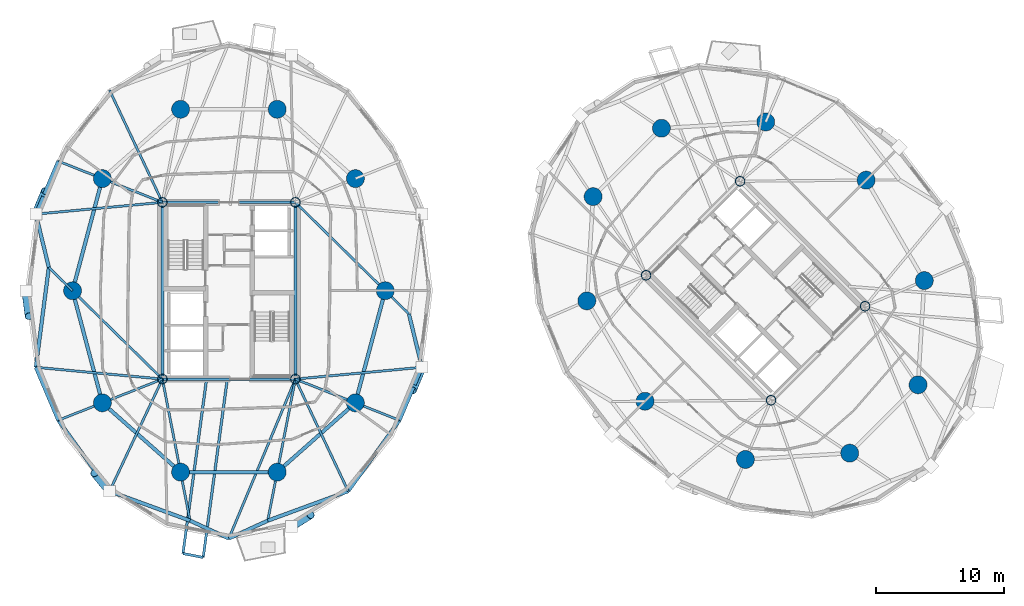
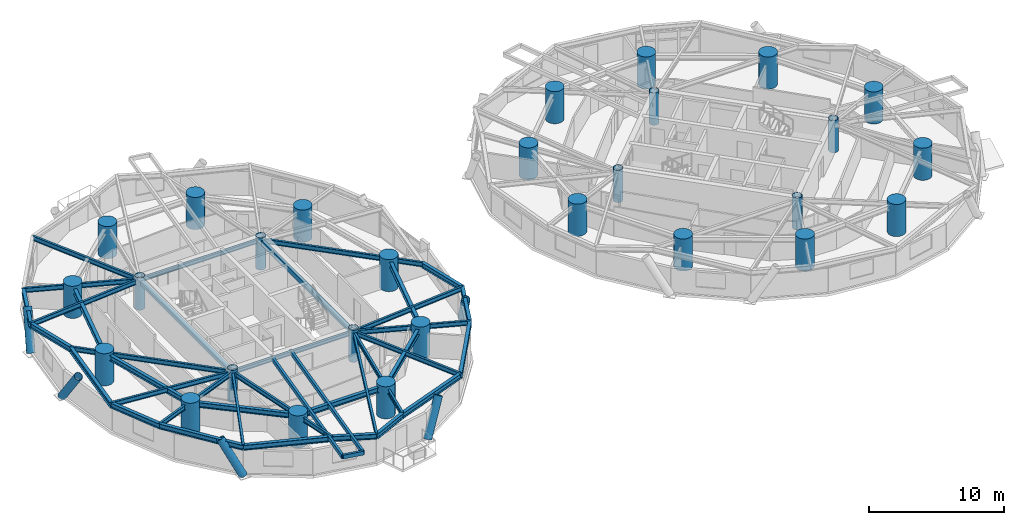
# One storey, part 1 of 18: 40 beams, 28 columns, 5 members.
"""IFC4 building model written with IfcOpenShell, lengths in metres."""

from ifc_helpers import new_model, si_unit, direction, frame, origin, origin_2d, place, context, subcontext, project, spatial, hollow_rectangle, circle, hollow_circle, i_section, extrude, material, material_profile, profile_set, type_object, element, save


model = new_model("IFC4")

# Units and contexts
model_context = context("Model", 3, precision=1e-05, world=origin(), true_north=direction((0.0, 1.0)))
body_context = subcontext(model_context, "Body", "Model", "MODEL_VIEW")
ifc_project = project(units=[si_unit("LENGTHUNIT", "METRE"), si_unit("AREAUNIT", "SQUARE_METRE"), si_unit("VOLUMEUNIT", "CUBIC_METRE"), si_unit("PLANEANGLEUNIT", "RADIAN"), si_unit("MASSUNIT", "GRAM", prefix="KILO")], contexts=[model_context])

# Site, building, storey
site_placement = place(None, origin())
site = spatial("IfcSite", under=ifc_project, at=site_placement, CompositionType="ELEMENT")
building_placement = place(site_placement, origin())
building = spatial("IfcBuilding", under=site, at=building_placement, Name="Cununo Teusaquillo Station Towers", CompositionType="ELEMENT")
storey_placement = place(building_placement, frame((0.0, 0.0, 93.429931640625)))
storey = spatial("IfcBuildingStorey", under=building, at=storey_placement, Name="L29", CompositionType="ELEMENT", Elevation=93.429931640625)

# Columns
ifc_material_1 = material(Name="Steel EN 10025-2 S355J2", Category="steel")
ifc_material_profile_1 = material_profile(ifc_material_1, hollow_circle(Radius=0.3798828125, WallThickness=0.031982421875, at=origin_2d()), Name="CHS 760x32")
ifc_profile_set_1 = profile_set([ifc_material_profile_1], Name="Steel EN 10025-2 S355J2")
column_type_1 = type_object("IfcColumnType", Name="COL-CORE-Z2", PredefinedType="COLUMN", material=ifc_profile_set_1)
for number, where, z_axis, x_axis, name in (
    (1, (11.324951171875, 17.6201171875, 0.0), (0.0, 0.0, 1.0), (1.0, 0.0, 0.0), "L29 Tower A Core Column 1"),
    (2, (11.324951171875, 31.3798828125, 0.0), (0.0, 0.0, 1.0), (1.0, 0.0, 0.0), "L29 Tower A Core Column 2"),
    (3, (21.675048828125, 17.6201171875, 0.0), (0.0, 0.0, 1.0), (1.0, 0.0, 0.0), "L29 Tower A Core Column 3"),
    (4, (21.675048828125, 31.3798828125, 0.0), (0.0, 0.0, 1.0), (1.0, 0.0, 0.0), "L29 Tower A Core Column 4"),
    (5, (58.70556640625, 15.975830078125, 0.0), (0.0, 0.0, 1.0), (0.707106781187, 0.707106781187, 0.0), "L29 Tower B Core Column 1"),
    (6, (48.975830078125, 25.70556640625, 0.0), (0.0, 0.0, 1.0), (0.707106781187, 0.707106781187, 0.0), "L29 Tower B Core Column 2"),
    (7, (66.024169921875, 23.29443359375, 0.0), (0.0, 0.0, 1.0), (0.707106781187, 0.707106781187, 0.0), "L29 Tower B Core Column 3"),
    (8, (56.29443359375, 33.024169921875, 0.0), (0.0, 0.0, 1.0), (0.707106781187, 0.707106781187, 0.0), "L29 Tower B Core Column 4"),
):
    element("IfcColumn", number, at=place(storey_placement, frame(where, z_axis=z_axis, x_axis=x_axis)), inside=storey, type_object=column_type_1, Name=name, PredefinedType="COLUMN", context=body_context, shape_type="SweptSolid", body=[
        extrude(hollow_circle(Radius=0.3798828125, WallThickness=0.031982421875, at=origin_2d()), origin(), (0.0, 0.0, 1.0), 2.91015625),
    ])
ifc_material_2 = material(Name="Concrete C60/75", Category="concrete")
ifc_material_profile_2 = material_profile(ifc_material_2, circle(Radius=0.699951171875, at=origin_2d()), Name="RC-CIRC-1400")
ifc_profile_set_2 = profile_set([ifc_material_profile_2], Name="Concrete C60/75")
column_type_2 = type_object("IfcColumnType", Name="COL-MEGA-Z2", PredefinedType="USERDEFINED", material=ifc_profile_set_2)
for number, where, z_axis, x_axis, name in (
    (9, (28.672119140625, 24.5, 0.0), (0.0, 0.0, 1.0), (1.0, 0.0, 0.0), "L29 Tower A Perimeter Column V00"),
    (10, (26.347412109375, 33.228515625, 0.0), (0.0, 0.0, 1.0), (1.0, 0.0, 0.0), "L29 Tower A Perimeter Column V02"),
    (11, (20.261474609375, 38.623291015625, 0.0), (0.0, 0.0, 1.0), (1.0, 0.0, 0.0), "L29 Tower A Perimeter Column V04"),
    (12, (12.738525390625, 38.623291015625, 0.0), (0.0, 0.0, 1.0), (1.0, 0.0, 0.0), "L29 Tower A Perimeter Column V06"),
    (13, (6.652587890625, 33.228515625, 0.0), (0.0, 0.0, 1.0), (1.0, 0.0, 0.0), "L29 Tower A Perimeter Column V08"),
    (14, (4.327880859375, 24.5, 0.0), (0.0, 0.0, 1.0), (1.0, 0.0, 0.0), "L29 Tower A Perimeter Column V10"),
    (15, (6.652587890625, 15.771484375, 0.0), (0.0, 0.0, 1.0), (1.0, 0.0, 0.0), "L29 Tower A Perimeter Column V12"),
    (16, (12.738525390625, 10.376708984375, 0.0), (0.0, 0.0, 1.0), (1.0, 0.0, 0.0), "L29 Tower A Perimeter Column V14"),
    (17, (20.261474609375, 10.376708984375, 0.0), (0.0, 0.0, 1.0), (1.0, 0.0, 0.0), "L29 Tower A Perimeter Column V16"),
    (18, (26.347412109375, 15.771484375, 0.0), (0.0, 0.0, 1.0), (1.0, 0.0, 0.0), "L29 Tower A Perimeter Column V18"),
    (19, (66.10693359375, 33.10693359375, 0.0), (0.0, 0.0, 1.0), (1.0, 0.0, 0.0), "L29 Tower B Perimeter Column V00"),
    (20, (58.291015625, 37.63525390625, 0.0), (0.0, 0.0, 1.0), (1.0, 0.0, 0.0), "L29 Tower B Perimeter Column V02"),
    (21, (50.173095703125, 37.146240234375, 0.0), (0.0, 0.0, 1.0), (1.0, 0.0, 0.0), "L29 Tower B Perimeter Column V04"),
    (22, (44.853759765625, 31.826904296875, 0.0), (0.0, 0.0, 1.0), (1.0, 0.0, 0.0), "L29 Tower B Perimeter Column V06"),
    (23, (44.36474609375, 23.708984375, 0.0), (0.0, 0.0, 1.0), (1.0, 0.0, 0.0), "L29 Tower B Perimeter Column V08"),
    (24, (48.89306640625, 15.89306640625, 0.0), (0.0, 0.0, 1.0), (1.0, 0.0, 0.0), "L29 Tower B Perimeter Column V10"),
    (25, (56.708984375, 11.36474609375, 0.0), (0.0, 0.0, 1.0), (1.0, 0.0, 0.0), "L29 Tower B Perimeter Column V12"),
    (26, (64.826904296875, 11.853759765625, 0.0), (0.0, 0.0, 1.0), (1.0, 0.0, 0.0), "L29 Tower B Perimeter Column V14"),
    (27, (70.146240234375, 17.173095703125, 0.0), (0.0, 0.0, 1.0), (1.0, 0.0, 0.0), "L29 Tower B Perimeter Column V16"),
    (28, (70.63525390625, 25.291015625, 0.0), (0.0, 0.0, 1.0), (1.0, 0.0, 0.0), "L29 Tower B Perimeter Column V18"),
):
    element("IfcColumn", number, at=place(storey_placement, frame(where, z_axis=z_axis, x_axis=x_axis)), inside=storey, type_object=column_type_2, Name=name, ObjectType="MEGA COLUMN", PredefinedType="USERDEFINED", context=body_context, shape_type="SweptSolid", body=[
        extrude(circle(Radius=0.699951171875, at=origin_2d()), origin(), (0.0, 0.0, 1.0), 2.91015625),
    ])

# Beams
ifc_material_3 = material(Name="Steel EN 10025-2 S355J2", Category="steel")
ifc_material_profile_3 = material_profile(ifc_material_3, hollow_rectangle(XDim=0.199951171875, YDim=0.35009765625, WallThickness=0.013916015625, at=origin_2d()), Name="RHS 350x200x14")
ifc_profile_set_3 = profile_set([ifc_material_profile_3], Name="Steel EN 10025-2 S355J2")
beam_type_1 = type_object("IfcBeamType", Name="BM-BAL-CANT", PredefinedType="BEAM", material=ifc_profile_set_3)
beam_1_placement = place(storey_placement, frame((14.793701171875, 17.85009765625, 2.4951171875), z_axis=(-0.133960678738, -0.990986648019, 0.0), x_axis=(0.990986648019, -0.133960678738, 0.0)))
element("IfcBeam", 29, at=beam_1_placement, inside=storey, type_object=beam_type_1, Name="L29 Tower A Balcony Cantilever Bracket 2A", PredefinedType="BEAM", context=body_context, shape_type="SweptSolid", body=[
    extrude(hollow_rectangle(XDim=0.199951171875, YDim=0.35009765625, WallThickness=0.013916015625, at=origin_2d()), origin(), (0.0, 0.0, 1.0), 13.9345703125),
])
beam_2_placement = place(storey_placement, frame((16.40869140625, 17.85009765625, 2.4951171875), z_axis=(-0.133936551357, -0.990989909237, 0.0), x_axis=(0.990989909237, -0.133936551357, 0.0)))
element("IfcBeam", 30, at=beam_2_placement, inside=storey, type_object=beam_type_1, Name="L29 Tower A Balcony Cantilever Bracket 2B", PredefinedType="BEAM", context=body_context, shape_type="SweptSolid", body=[
    extrude(hollow_rectangle(XDim=0.199951171875, YDim=0.35009765625, WallThickness=0.013916015625, at=origin_2d()), origin(), (0.0, 0.0, 1.0), 14.24169921875),
])
ifc_material_4 = material(Name="Steel EN 10025-2 S355J2", Category="steel")
ifc_material_profile_4 = material_profile(ifc_material_4, hollow_rectangle(XDim=0.25, YDim=0.449951171875, WallThickness=0.01611328125, at=origin_2d()), Name="RHS 450x250x16")
ifc_profile_set_4 = profile_set([ifc_material_profile_4], Name="Steel EN 10025-2 S355J2")
beam_type_2 = type_object("IfcBeamType", Name="BM-COUP-1", PredefinedType="USERDEFINED", material=ifc_profile_set_4)
for number, where, z_axis, x_axis, name in (
    (31, (11.324951171875, 17.6201171875, 2.445068359375), (0.0, 1.0, 0.0), (-1.0, 0.0, 0.0), "L29 Tower A Core Beam 1"),
    (32, (21.675048828125, 17.6201171875, 2.445068359375), (0.0, 1.0, 0.0), (-1.0, 0.0, 0.0), "L29 Tower A Core Beam 2"),
):
    element("IfcBeam", number, at=place(storey_placement, frame(where, z_axis=z_axis, x_axis=x_axis)), inside=storey, type_object=beam_type_2, Name=name, ObjectType="COUPLING BEAM", PredefinedType="USERDEFINED", context=body_context, shape_type="SweptSolid", body=[
        extrude(hollow_rectangle(XDim=0.25, YDim=0.449951171875, WallThickness=0.01611328125, at=origin_2d()), origin(), (0.0, 0.0, 1.0), 13.759765625),
    ])
ifc_material_5 = material(Name="Steel ASTM A572 Grade 50", Category="steel")
ifc_material_profile_5 = material_profile(ifc_material_5, i_section(OverallWidth=0.180908203125, OverallDepth=0.4169921875, WebThickness=0.010986328125, FlangeThickness=0.018310546875, FilletRadius=0.012939453125, at=origin_2d()), Name="W16X57")
ifc_profile_set_5 = profile_set([ifc_material_profile_5], Name="Steel ASTM A572 Grade 50")
beam_type_3 = type_object("IfcBeamType", Name="BM-JOIST-1", PredefinedType="JOIST", material=ifc_profile_set_5)
beam_3_placement = place(storey_placement, frame((11.324951171875, 31.3798828125, 2.461669921875), z_axis=(-0.426319838016, 0.904572493344, 0.0), x_axis=(-0.904572493344, -0.426319838016, 0.0)))
element("IfcBeam", 33, at=beam_3_placement, inside=storey, type_object=beam_type_3, Name="L29 Tower A Radial Spandrel Joist V07", PredefinedType="JOIST", context=body_context, shape_type="SweptSolid", body=[
    extrude(i_section(OverallWidth=0.180908203125, OverallDepth=0.4169921875, WebThickness=0.010986328125, FlangeThickness=0.018310546875, FilletRadius=0.012939453125, at=origin_2d()), origin(), (0.0, 0.0, 1.0), 9.646728515625),
])
for number, where, z_axis, x_axis, name in (
    (34, (11.324951171875, 31.3798828125, 2.461669921875), (-0.995678537907, -0.09286683558, 0.0), (0.09286683558, -0.995678537907, 0.0), "L29 Tower A Radial Spandrel Joist V09"),
    (35, (11.324951171875, 17.6201171875, 2.461669921875), (-0.995678537907, 0.09286683558, 0.0), (-0.09286683558, -0.995678537907, 0.0), "L29 Tower A Radial Spandrel Joist V11"),
):
    element("IfcBeam", number, at=place(storey_placement, frame(where, z_axis=z_axis, x_axis=x_axis)), inside=storey, type_object=beam_type_3, Name=name, PredefinedType="JOIST", context=body_context, shape_type="SweptSolid", body=[
        extrude(i_section(OverallWidth=0.180908203125, OverallDepth=0.4169921875, WebThickness=0.010986328125, FlangeThickness=0.018310546875, FilletRadius=0.012939453125, at=origin_2d()), origin(), (0.0, 0.0, 1.0), 9.895263671875),
    ])
beam_4_placement = place(storey_placement, frame((11.324951171875, 17.6201171875, 2.461669921875), z_axis=(-0.426319838016, -0.904572493344, 0.0), x_axis=(0.904572493344, -0.426319838016, 0.0)))
element("IfcBeam", 36, at=beam_4_placement, inside=storey, type_object=beam_type_3, Name="L29 Tower A Radial Spandrel Joist V13", PredefinedType="JOIST", context=body_context, shape_type="SweptSolid", body=[
    extrude(i_section(OverallWidth=0.180908203125, OverallDepth=0.4169921875, WebThickness=0.010986328125, FlangeThickness=0.018310546875, FilletRadius=0.012939453125, at=origin_2d()), origin(), (0.0, 0.0, 1.0), 9.646728515625),
])
beam_5_placement = place(storey_placement, frame((21.675048828125, 17.6201171875, 2.461669921875), z_axis=(-0.38487837995, -0.922967297713, 0.0), x_axis=(0.922967297713, -0.38487837995, 0.0)))
element("IfcBeam", 37, at=beam_5_placement, inside=storey, type_object=beam_type_3, Name="L29 Tower A Radial Spandrel Joist V15", PredefinedType="JOIST", context=body_context, shape_type="SweptSolid", body=[
    extrude(i_section(OverallWidth=0.180908203125, OverallDepth=0.4169921875, WebThickness=0.010986328125, FlangeThickness=0.018310546875, FilletRadius=0.012939453125, at=origin_2d()), origin(), (0.0, 0.0, 1.0), 13.446044921875),
])
beam_6_placement = place(storey_placement, frame((21.675048828125, 17.6201171875, 2.461669921875), z_axis=(0.426319838016, -0.904572493344, 0.0), x_axis=(0.904572493344, 0.426319838016, 0.0)))
element("IfcBeam", 38, at=beam_6_placement, inside=storey, type_object=beam_type_3, Name="L29 Tower A Radial Spandrel Joist V17", PredefinedType="JOIST", context=body_context, shape_type="SweptSolid", body=[
    extrude(i_section(OverallWidth=0.180908203125, OverallDepth=0.4169921875, WebThickness=0.010986328125, FlangeThickness=0.018310546875, FilletRadius=0.012939453125, at=origin_2d()), origin(), (0.0, 0.0, 1.0), 9.646728515625),
])
beam_7_placement = place(storey_placement, frame((21.675048828125, 17.6201171875, 2.461669921875), z_axis=(0.995678537907, 0.09286683558, 0.0), x_axis=(-0.09286683558, 0.995678537907, 0.0)))
element("IfcBeam", 39, at=beam_7_placement, inside=storey, type_object=beam_type_3, Name="L29 Tower A Radial Spandrel Joist V19", PredefinedType="JOIST", context=body_context, shape_type="SweptSolid", body=[
    extrude(i_section(OverallWidth=0.180908203125, OverallDepth=0.4169921875, WebThickness=0.010986328125, FlangeThickness=0.018310546875, FilletRadius=0.012939453125, at=origin_2d()), origin(), (0.0, 0.0, 1.0), 9.895263671875),
])
ifc_material_6 = material(Name="Steel ASTM A572 Grade 50", Category="steel")
ifc_material_profile_6 = material_profile(ifc_material_6, i_section(OverallWidth=0.2041015625, OverallDepth=0.35009765625, WebThickness=0.008544921875, FlangeThickness=0.01513671875, FilletRadius=0.011962890625, at=origin_2d()), Name="W14X48")
ifc_profile_set_6 = profile_set([ifc_material_profile_6], Name="Steel ASTM A572 Grade 50")
beam_type_4 = type_object("IfcBeamType", Name="BM-LINTEL-1", PredefinedType="LINTEL", material=ifc_profile_set_6)
for number, where, z_axis, x_axis, name in (
    (40, (11.324951171875, 17.6201171875, 2.4951171875), (1.0, 0.0, 0.0), (0.0, 1.0, 0.0), "L29 Tower A Core Beam 3"),
    (41, (11.324951171875, 31.3798828125, 2.4951171875), (1.0, 0.0, 0.0), (0.0, 1.0, 0.0), "L29 Tower A Core Beam 4"),
):
    element("IfcBeam", number, at=place(storey_placement, frame(where, z_axis=z_axis, x_axis=x_axis)), inside=storey, type_object=beam_type_4, Name=name, PredefinedType="LINTEL", context=body_context, shape_type="SweptSolid", body=[
        extrude(i_section(OverallWidth=0.2041015625, OverallDepth=0.35009765625, WebThickness=0.008544921875, FlangeThickness=0.01513671875, FilletRadius=0.011962890625, at=origin_2d()), origin(), (0.0, 0.0, 1.0), 10.35009765625),
    ])
ifc_material_7 = material(Name="Steel ASTM A572 Grade 50", Category="steel")
ifc_material_profile_7 = material_profile(ifc_material_7, i_section(OverallWidth=0.180908203125, OverallDepth=0.4169921875, WebThickness=0.010986328125, FlangeThickness=0.018310546875, FilletRadius=0.012939453125, at=origin_2d()), Name="W16X57")
ifc_profile_set_7 = profile_set([ifc_material_profile_7], Name="Steel ASTM A572 Grade 50")
beam_type_5 = type_object("IfcBeamType", Name="BM-RAD-G2", PredefinedType="BEAM", material=ifc_profile_set_7)
beam_8_placement = place(storey_placement, frame((21.675048828125, 31.3798828125, 2.461669921875), z_axis=(0.713047137857, -0.701116095375, 0.0), x_axis=(0.701116095375, 0.713047137857, 0.0)))
element("IfcBeam", 42, at=beam_8_placement, inside=storey, type_object=beam_type_5, Name="L29 Tower A Continuous Overhanging Radial Girder 01", PredefinedType="BEAM", context=body_context, shape_type="SweptSolid", body=[
    extrude(i_section(OverallWidth=0.180908203125, OverallDepth=0.4169921875, WebThickness=0.010986328125, FlangeThickness=0.018310546875, FilletRadius=0.012939453125, at=origin_2d()), origin(), (0.0, 0.0, 1.0), 12.400390625),
])
beam_9_placement = place(storey_placement, frame((11.324951171875, 31.3798828125, 2.461669921875), z_axis=(-0.929863123823, 0.367905654963, 0.0), x_axis=(-0.367905654963, -0.929863123823, 0.0)))
element("IfcBeam", 43, at=beam_9_placement, inside=storey, type_object=beam_type_5, Name="L29 Tower A Continuous Overhanging Radial Girder 05", PredefinedType="BEAM", context=body_context, shape_type="SweptSolid", body=[
    extrude(i_section(OverallWidth=0.180908203125, OverallDepth=0.4169921875, WebThickness=0.010986328125, FlangeThickness=0.018310546875, FilletRadius=0.012939453125, at=origin_2d()), origin(), (0.0, 0.0, 1.0), 8.715087890625),
])
beam_10_placement = place(storey_placement, frame((11.324951171875, 17.6201171875, 2.461669921875), z_axis=(-0.713052701438, 0.701110437073, 0.0), x_axis=(-0.701110437073, -0.713052701438, 0.0)))
element("IfcBeam", 44, at=beam_10_placement, inside=storey, type_object=beam_type_5, Name="L29 Tower A Radial Girder 06A", PredefinedType="BEAM", context=body_context, shape_type="SweptSolid", body=[
    extrude(i_section(OverallWidth=0.180908203125, OverallDepth=0.4169921875, WebThickness=0.010986328125, FlangeThickness=0.018310546875, FilletRadius=0.012939453125, at=origin_2d()), origin(), (0.0, 0.0, 1.0), 9.812744140625),
])
beam_11_placement = place(storey_placement, frame((4.327880859375, 24.5, 2.461669921875), z_axis=(-0.7130260383, 0.701137553342, 0.0), x_axis=(-0.701137553342, -0.7130260383, 0.0)))
element("IfcBeam", 45, at=beam_11_placement, inside=storey, type_object=beam_type_5, Name="L29 Tower A Perimeter Overhang Girder 06B", PredefinedType="BEAM", context=body_context, shape_type="SweptSolid", body=[
    extrude(i_section(OverallWidth=0.180908203125, OverallDepth=0.4169921875, WebThickness=0.010986328125, FlangeThickness=0.018310546875, FilletRadius=0.012939453125, at=origin_2d()), origin(), (0.0, 0.0, 1.0), 2.58740234375),
])
beam_12_placement = place(storey_placement, frame((11.324951171875, 17.6201171875, 2.461669921875), z_axis=(-0.929863123823, -0.367905654963, 0.0), x_axis=(0.367905654963, -0.929863123823, 0.0)))
element("IfcBeam", 46, at=beam_12_placement, inside=storey, type_object=beam_type_5, Name="L29 Tower A Continuous Overhanging Radial Girder 07", PredefinedType="BEAM", context=body_context, shape_type="SweptSolid", body=[
    extrude(i_section(OverallWidth=0.180908203125, OverallDepth=0.4169921875, WebThickness=0.010986328125, FlangeThickness=0.018310546875, FilletRadius=0.012939453125, at=origin_2d()), origin(), (0.0, 0.0, 1.0), 8.715087890625),
])
for number, where, z_axis, x_axis, name in (
    (47, (11.324951171875, 17.6201171875, 2.461669921875), (0.191552755713, -0.981482318628, 0.0), (0.981482318628, 0.191552755713, 0.0), "L29 Tower A Continuous Overhanging Radial Girder 08"),
    (48, (21.675048828125, 17.6201171875, 2.461669921875), (-0.191552755713, -0.981482318628, 0.0), (0.981482318628, -0.191552755713, 0.0), "L29 Tower A Continuous Overhanging Radial Girder 09"),
):
    element("IfcBeam", number, at=place(storey_placement, frame(where, z_axis=z_axis, x_axis=x_axis)), inside=storey, type_object=beam_type_5, Name=name, PredefinedType="BEAM", context=body_context, shape_type="SweptSolid", body=[
        extrude(i_section(OverallWidth=0.180908203125, OverallDepth=0.4169921875, WebThickness=0.010986328125, FlangeThickness=0.018310546875, FilletRadius=0.012939453125, at=origin_2d()), origin(), (0.0, 0.0, 1.0), 11.22998046875),
    ])
beam_13_placement = place(storey_placement, frame((21.675048828125, 17.6201171875, 2.461669921875), z_axis=(0.929863123823, -0.367905654963, 0.0), x_axis=(0.367905654963, 0.929863123823, 0.0)))
element("IfcBeam", 49, at=beam_13_placement, inside=storey, type_object=beam_type_5, Name="L29 Tower A Continuous Overhanging Radial Girder 10", PredefinedType="BEAM", context=body_context, shape_type="SweptSolid", body=[
    extrude(i_section(OverallWidth=0.180908203125, OverallDepth=0.4169921875, WebThickness=0.010986328125, FlangeThickness=0.018310546875, FilletRadius=0.012939453125, at=origin_2d()), origin(), (0.0, 0.0, 1.0), 8.715087890625),
])
ifc_material_8 = material(Name="Steel ASTM A572 Grade 50", Category="steel")
ifc_material_profile_8 = material_profile(ifc_material_8, i_section(OverallWidth=0.280029296875, OverallDepth=0.462890625, WebThickness=0.0107421875, FlangeThickness=0.017333984375, FilletRadius=0.013916015625, at=origin_2d()), Name="W18X76")
ifc_profile_set_8 = profile_set([ifc_material_profile_8], Name="Steel ASTM A572 Grade 50")
beam_type_6 = type_object("IfcBeamType", Name="BM-RING-Z2", PredefinedType="SPANDREL", material=ifc_profile_set_8)
for number, where, z_axis, x_axis, name in (
    (50, (6.652587890625, 33.228515625, 2.4384765625), (-0.257363196347, -0.966314744359, 0.0), (0.966314744359, -0.257363196347, 0.0), "L29 Tower A Structural Column Ring Girder 05"),
    (51, (4.327880859375, 24.5, 2.4384765625), (0.257363196347, -0.966314744359, 0.0), (0.966314744359, 0.257363196347, 0.0), "L29 Tower A Structural Column Ring Girder 06"),
):
    element("IfcBeam", number, at=place(storey_placement, frame(where, z_axis=z_axis, x_axis=x_axis)), inside=storey, type_object=beam_type_6, Name=name, PredefinedType="SPANDREL", context=body_context, shape_type="SweptSolid", body=[
        extrude(i_section(OverallWidth=0.280029296875, OverallDepth=0.462890625, WebThickness=0.0107421875, FlangeThickness=0.017333984375, FilletRadius=0.013916015625, at=origin_2d()), origin(), (0.0, 0.0, 1.0), 9.03271484375),
    ])
beam_14_placement = place(storey_placement, frame((6.652587890625, 15.771484375, 2.4384765625), z_axis=(0.74832120039, -0.66333655187, 0.0), x_axis=(0.66333655187, 0.74832120039, 0.0)))
element("IfcBeam", 52, at=beam_14_placement, inside=storey, type_object=beam_type_6, Name="L29 Tower A Structural Column Ring Girder 07", PredefinedType="SPANDREL", context=body_context, shape_type="SweptSolid", body=[
    extrude(i_section(OverallWidth=0.280029296875, OverallDepth=0.462890625, WebThickness=0.0107421875, FlangeThickness=0.017333984375, FilletRadius=0.013916015625, at=origin_2d()), origin(), (0.0, 0.0, 1.0), 8.1328125),
])
beam_15_placement = place(storey_placement, frame((12.738525390625, 10.376708984375, 2.4384765625), z_axis=(1.0, 0.0, 0.0), x_axis=(0.0, 1.0, 0.0)))
element("IfcBeam", 53, at=beam_15_placement, inside=storey, type_object=beam_type_6, Name="L29 Tower A Structural Column Ring Girder 08", PredefinedType="SPANDREL", context=body_context, shape_type="SweptSolid", body=[
    extrude(i_section(OverallWidth=0.280029296875, OverallDepth=0.462890625, WebThickness=0.0107421875, FlangeThickness=0.017333984375, FilletRadius=0.013916015625, at=origin_2d()), origin(), (0.0, 0.0, 1.0), 7.52294921875),
])
beam_16_placement = place(storey_placement, frame((20.261474609375, 10.376708984375, 2.4384765625), z_axis=(0.74832120039, 0.66333655187, 0.0), x_axis=(-0.66333655187, 0.74832120039, 0.0)))
element("IfcBeam", 54, at=beam_16_placement, inside=storey, type_object=beam_type_6, Name="L29 Tower A Structural Column Ring Girder 09", PredefinedType="SPANDREL", context=body_context, shape_type="SweptSolid", body=[
    extrude(i_section(OverallWidth=0.280029296875, OverallDepth=0.462890625, WebThickness=0.0107421875, FlangeThickness=0.017333984375, FilletRadius=0.013916015625, at=origin_2d()), origin(), (0.0, 0.0, 1.0), 8.1328125),
])
beam_17_placement = place(storey_placement, frame((26.347412109375, 15.771484375, 2.4384765625), z_axis=(0.257363196347, 0.966314744359, 0.0), x_axis=(-0.966314744359, 0.257363196347, 0.0)))
element("IfcBeam", 55, at=beam_17_placement, inside=storey, type_object=beam_type_6, Name="L29 Tower A Structural Column Ring Girder 10", PredefinedType="SPANDREL", context=body_context, shape_type="SweptSolid", body=[
    extrude(i_section(OverallWidth=0.280029296875, OverallDepth=0.462890625, WebThickness=0.0107421875, FlangeThickness=0.017333984375, FilletRadius=0.013916015625, at=origin_2d()), origin(), (0.0, 0.0, 1.0), 9.03271484375),
])
beam_18_placement = place(storey_placement, frame((3.22119140625, 34.586181640625, 2.4384765625), z_axis=(-0.390299356049, -0.920688010494, 0.0), x_axis=(0.920688010494, -0.390299356049, 0.0)))
element("IfcBeam", 56, at=beam_18_placement, inside=storey, type_object=beam_type_6, Name="L29 Tower A Spandrel Ring Beam 09", PredefinedType="SPANDREL", context=body_context, shape_type="SweptSolid", body=[
    extrude(i_section(OverallWidth=0.280029296875, OverallDepth=0.462890625, WebThickness=0.0107421875, FlangeThickness=0.017333984375, FilletRadius=0.013916015625, at=origin_2d()), origin(), (0.0, 0.0, 1.0), 4.480712890625),
])
beam_19_placement = place(storey_placement, frame((1.472412109375, 30.4609375, 2.4384765625), z_axis=(0.236757334703, -0.971568816124, 0.0), x_axis=(0.971568816124, 0.236757334703, 0.0)))
element("IfcBeam", 57, at=beam_19_placement, inside=storey, type_object=beam_type_6, Name="L29 Tower A Spandrel Ring Beam 10", PredefinedType="SPANDREL", context=body_context, shape_type="SweptSolid", body=[
    extrude(i_section(OverallWidth=0.280029296875, OverallDepth=0.462890625, WebThickness=0.0107421875, FlangeThickness=0.017333984375, FilletRadius=0.013916015625, at=origin_2d()), origin(), (0.0, 0.0, 1.0), 4.26806640625),
])
beam_20_placement = place(storey_placement, frame((2.48291015625, 26.314208984375, 2.4384765625), z_axis=(-0.12888124113, -0.991660035337, 0.0), x_axis=(0.991660035337, -0.12888124113, 0.0)))
element("IfcBeam", 58, at=beam_20_placement, inside=storey, type_object=beam_type_6, Name="L29 Tower A Spandrel Ring Beam 11", PredefinedType="SPANDREL", context=body_context, shape_type="SweptSolid", body=[
    extrude(i_section(OverallWidth=0.280029296875, OverallDepth=0.462890625, WebThickness=0.0107421875, FlangeThickness=0.017333984375, FilletRadius=0.013916015625, at=origin_2d()), origin(), (0.0, 0.0, 1.0), 7.840576171875),
])
beam_21_placement = place(storey_placement, frame((1.472412109375, 18.5390625, 2.4384765625), z_axis=(0.390299356049, -0.920688010494, 0.0), x_axis=(0.920688010494, 0.390299356049, 0.0)))
element("IfcBeam", 59, at=beam_21_placement, inside=storey, type_object=beam_type_6, Name="L29 Tower A Spandrel Ring Beam 12", PredefinedType="SPANDREL", context=body_context, shape_type="SweptSolid", body=[
    extrude(i_section(OverallWidth=0.280029296875, OverallDepth=0.462890625, WebThickness=0.0107421875, FlangeThickness=0.017333984375, FilletRadius=0.013916015625, at=origin_2d()), origin(), (0.0, 0.0, 1.0), 4.480712890625),
])
beam_22_placement = place(storey_placement, frame((3.22119140625, 14.413818359375, 2.4384765625), z_axis=(0.58594455724, -0.810351143543, 0.0), x_axis=(0.810351143543, 0.58594455724, 0.0)))
element("IfcBeam", 60, at=beam_22_placement, inside=storey, type_object=beam_type_6, Name="L29 Tower A Spandrel Ring Beam 13", PredefinedType="SPANDREL", context=body_context, shape_type="SweptSolid", body=[
    extrude(i_section(OverallWidth=0.280029296875, OverallDepth=0.462890625, WebThickness=0.0107421875, FlangeThickness=0.017333984375, FilletRadius=0.013916015625, at=origin_2d()), origin(), (0.0, 0.0, 1.0), 6.8115234375),
])
beam_23_placement = place(storey_placement, frame((7.21240234375, 8.89404296875, 2.4384765625), z_axis=(0.938914161016, -0.34415141761, 0.0), x_axis=(0.34415141761, 0.938914161016, 0.0)))
element("IfcBeam", 61, at=beam_23_placement, inside=storey, type_object=beam_type_6, Name="L29 Tower A Spandrel Ring Beam 14", PredefinedType="SPANDREL", context=body_context, shape_type="SweptSolid", body=[
    extrude(i_section(OverallWidth=0.280029296875, OverallDepth=0.462890625, WebThickness=0.0107421875, FlangeThickness=0.017333984375, FilletRadius=0.013916015625, at=origin_2d()), origin(), (0.0, 0.0, 1.0), 6.671142578125),
])
for number, where, z_axis, x_axis, name in (
    (62, (13.47607421875, 6.59814453125, 2.4384765625), (0.908812215281, -0.417205413862, 0.0), (0.417205413862, 0.908812215281, 0.0), "L29 Tower A Spandrel Ring Beam 15"),
    (63, (16.5, 5.2099609375, 2.4384765625), (0.908812215281, 0.417205413862, 0.0), (-0.417205413862, 0.908812215281, 0.0), "L29 Tower A Spandrel Ring Beam 16"),
):
    element("IfcBeam", number, at=place(storey_placement, frame(where, z_axis=z_axis, x_axis=x_axis)), inside=storey, type_object=beam_type_6, Name=name, PredefinedType="SPANDREL", context=body_context, shape_type="SweptSolid", body=[
        extrude(i_section(OverallWidth=0.280029296875, OverallDepth=0.462890625, WebThickness=0.0107421875, FlangeThickness=0.017333984375, FilletRadius=0.013916015625, at=origin_2d()), origin(), (0.0, 0.0, 1.0), 3.327392578125),
    ])
beam_24_placement = place(storey_placement, frame((19.52392578125, 6.59814453125, 2.4384765625), z_axis=(0.938914161016, 0.34415141761, 0.0), x_axis=(-0.34415141761, 0.938914161016, 0.0)))
element("IfcBeam", 64, at=beam_24_placement, inside=storey, type_object=beam_type_6, Name="L29 Tower A Spandrel Ring Beam 17", PredefinedType="SPANDREL", context=body_context, shape_type="SweptSolid", body=[
    extrude(i_section(OverallWidth=0.280029296875, OverallDepth=0.462890625, WebThickness=0.0107421875, FlangeThickness=0.017333984375, FilletRadius=0.013916015625, at=origin_2d()), origin(), (0.0, 0.0, 1.0), 6.671142578125),
])
beam_25_placement = place(storey_placement, frame((25.78759765625, 8.89404296875, 2.4384765625), z_axis=(0.58594455724, 0.810351143543, 0.0), x_axis=(-0.810351143543, 0.58594455724, 0.0)))
element("IfcBeam", 65, at=beam_25_placement, inside=storey, type_object=beam_type_6, Name="L29 Tower A Spandrel Ring Beam 18", PredefinedType="SPANDREL", context=body_context, shape_type="SweptSolid", body=[
    extrude(i_section(OverallWidth=0.280029296875, OverallDepth=0.462890625, WebThickness=0.0107421875, FlangeThickness=0.017333984375, FilletRadius=0.013916015625, at=origin_2d()), origin(), (0.0, 0.0, 1.0), 6.8115234375),
])
beam_26_placement = place(storey_placement, frame((29.77880859375, 14.413818359375, 2.4384765625), z_axis=(0.390299356049, 0.920688010494, 0.0), x_axis=(-0.920688010494, 0.390299356049, 0.0)))
element("IfcBeam", 66, at=beam_26_placement, inside=storey, type_object=beam_type_6, Name="L29 Tower A Spandrel Ring Beam 19", PredefinedType="SPANDREL", context=body_context, shape_type="SweptSolid", body=[
    extrude(i_section(OverallWidth=0.280029296875, OverallDepth=0.462890625, WebThickness=0.0107421875, FlangeThickness=0.017333984375, FilletRadius=0.013916015625, at=origin_2d()), origin(), (0.0, 0.0, 1.0), 4.480712890625),
])
beam_27_placement = place(storey_placement, frame((31.527587890625, 18.5390625, 2.4384765625), z_axis=(-0.236757334703, 0.971568816124, 0.0), x_axis=(-0.971568816124, -0.236757334703, 0.0)))
element("IfcBeam", 67, at=beam_27_placement, inside=storey, type_object=beam_type_6, Name="L29 Tower A Spandrel Ring Beam 20", PredefinedType="SPANDREL", context=body_context, shape_type="SweptSolid", body=[
    extrude(i_section(OverallWidth=0.280029296875, OverallDepth=0.462890625, WebThickness=0.0107421875, FlangeThickness=0.017333984375, FilletRadius=0.013916015625, at=origin_2d()), origin(), (0.0, 0.0, 1.0), 4.26806640625),
])
ifc_material_9 = material(Name="Steel EN 10025-2 S355J2", Category="steel")
ifc_material_profile_9 = material_profile(ifc_material_9, hollow_rectangle(XDim=0.199951171875, YDim=0.35009765625, WallThickness=0.013916015625, at=origin_2d()), Name="RHS 350x200x14")
ifc_profile_set_9 = profile_set([ifc_material_profile_9], Name="Steel EN 10025-2 S355J2")
beam_type_7 = type_object("IfcBeamType", Name="BM-STAIR-TRIM", PredefinedType="BEAM", material=ifc_profile_set_9)
beam_28_placement = place(storey_placement, frame((12.927001953125, 4.041015625, 2.525146484375), z_axis=(0.981836621572, -0.189728354603, 0.0), x_axis=(0.189728354603, 0.981836621572, 0.0)))
element("IfcBeam", 68, at=beam_28_placement, inside=storey, type_object=beam_type_7, Name="L29 Tower A Balcony Edge Trimmer Beam 2", PredefinedType="BEAM", context=body_context, shape_type="SweptSolid", body=[
    extrude(hollow_rectangle(XDim=0.199951171875, YDim=0.35009765625, WallThickness=0.013916015625, at=origin_2d()), origin(), (0.0, 0.0, 1.0), 1.603271484375),
])

# Members
ifc_material_10 = material(Name="Steel EN 10025-2 S355J2", Category="steel")
ifc_material_profile_10 = material_profile(ifc_material_10, hollow_circle(Radius=0.330078125, WallThickness=0.02490234375, at=origin_2d()), Name="CHS 660x25")
ifc_profile_set_10 = profile_set([ifc_material_profile_10], Name="Steel EN 10025-2 S355J2")
member_type = type_object("IfcMemberType", Name="MBR-DIAG-Z2", PredefinedType="BRACE", material=ifc_profile_set_10)
member_1_placement = place(storey_placement, frame((1.472412109375, 30.4609375, -0.139892578125), z_axis=(0.213813667787, 0.512343325357, 0.831737958993), x_axis=(-0.922861086318, 0.385132983993, 0.0)))
element("IfcMember", 69, at=member_1_placement, inside=storey, type_object=member_type, Name="L29 Tower A Folded-Zigzag Diagrid Tube C08", PredefinedType="BRACE", context=body_context, shape_type="SweptSolid", body=[
    extrude(hollow_circle(Radius=0.330078125, WallThickness=0.02490234375, at=origin_2d()), origin(), (0.0, 0.0, 1.0), 3.49853515625),
])
member_2_placement = place(storey_placement, frame((0.698974609375, 24.5, -0.139892578125), z_axis=(0.072971585914, -0.562420206205, 0.823625314874), x_axis=(0.991687829619, 0.128667200894, 0.0)))
element("IfcMember", 70, at=member_2_placement, inside=storey, type_object=member_type, Name="L29 Tower A Folded-Zigzag Diagrid Tube C10", PredefinedType="BRACE", context=body_context, shape_type="SweptSolid", body=[
    extrude(hollow_circle(Radius=0.330078125, WallThickness=0.02490234375, at=origin_2d()), origin(), (0.0, 0.0, 1.0), 3.532958984375),
])
member_3_placement = place(storey_placement, frame((7.21240234375, 8.89404296875, -0.139892578125), z_axis=(-0.338520838688, 0.413274864244, 0.845344621062), x_axis=(-0.773602270202, -0.633671466565, 0.0)))
element("IfcMember", 71, at=member_3_placement, inside=storey, type_object=member_type, Name="L29 Tower A Folded-Zigzag Diagrid Tube C12", PredefinedType="BRACE", context=body_context, shape_type="SweptSolid", body=[
    extrude(hollow_circle(Radius=0.330078125, WallThickness=0.02490234375, at=origin_2d()), origin(), (0.0, 0.0, 1.0), 3.4423828125),
])
member_4_placement = place(storey_placement, frame((21.3828125, 6.154052734375, -0.139892578125), z_axis=(0.433768032271, 0.269824776975, 0.859674289432), x_axis=(-0.528195574716, 0.849122744278, 0.0)))
element("IfcMember", 72, at=member_4_placement, inside=storey, type_object=member_type, Name="L29 Tower A Folded-Zigzag Diagrid Tube C16", PredefinedType="BRACE", context=body_context, shape_type="SweptSolid", body=[
    extrude(hollow_circle(Radius=0.330078125, WallThickness=0.02490234375, at=origin_2d()), origin(), (0.0, 0.0, 1.0), 3.385009765625),
])
member_5_placement = place(storey_placement, frame((31.527587890625, 18.5390625, -0.139892578125), z_axis=(-0.213813667787, -0.512343325357, 0.831737958993), x_axis=(0.922861086318, -0.385132983993, 0.0)))
element("IfcMember", 73, at=member_5_placement, inside=storey, type_object=member_type, Name="L29 Tower A Folded-Zigzag Diagrid Tube C18", PredefinedType="BRACE", context=body_context, shape_type="SweptSolid", body=[
    extrude(hollow_circle(Radius=0.330078125, WallThickness=0.02490234375, at=origin_2d()), origin(), (0.0, 0.0, 1.0), 3.49853515625),
])

save(model, "model.ifc")
